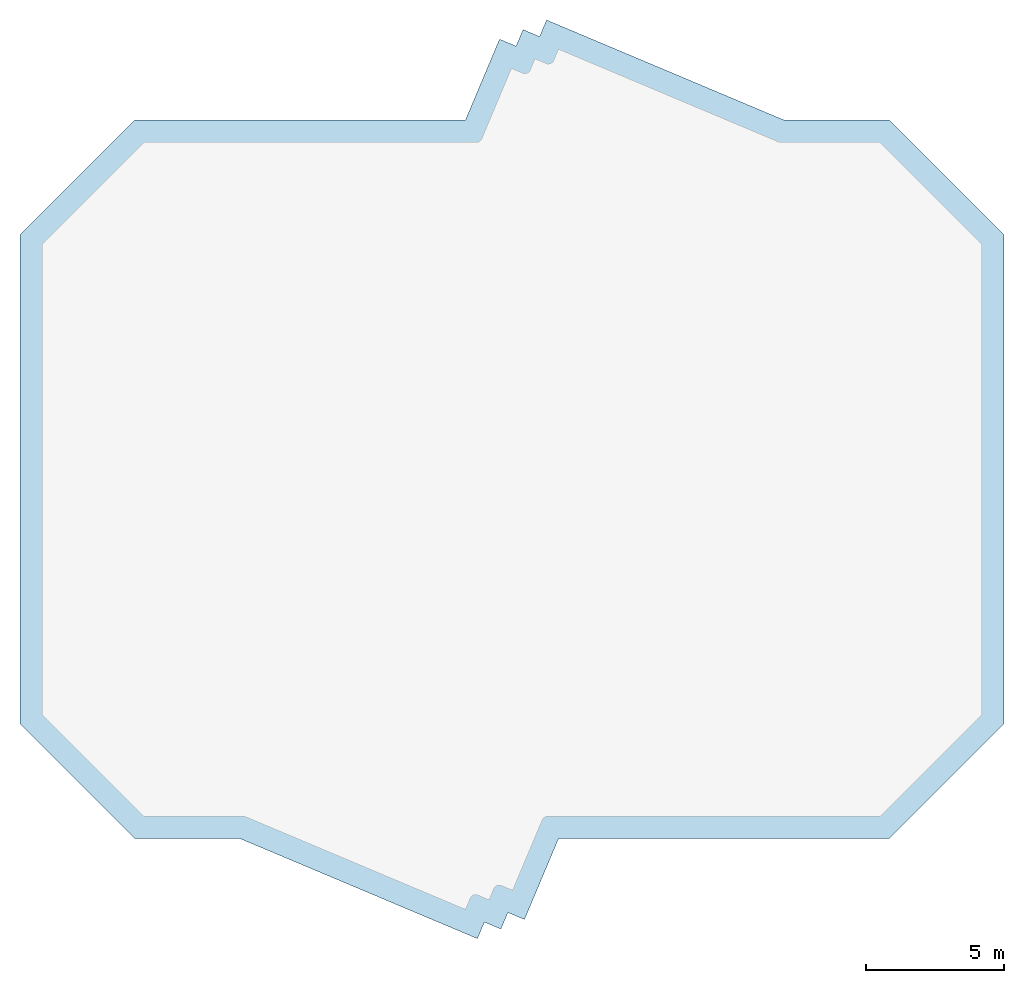
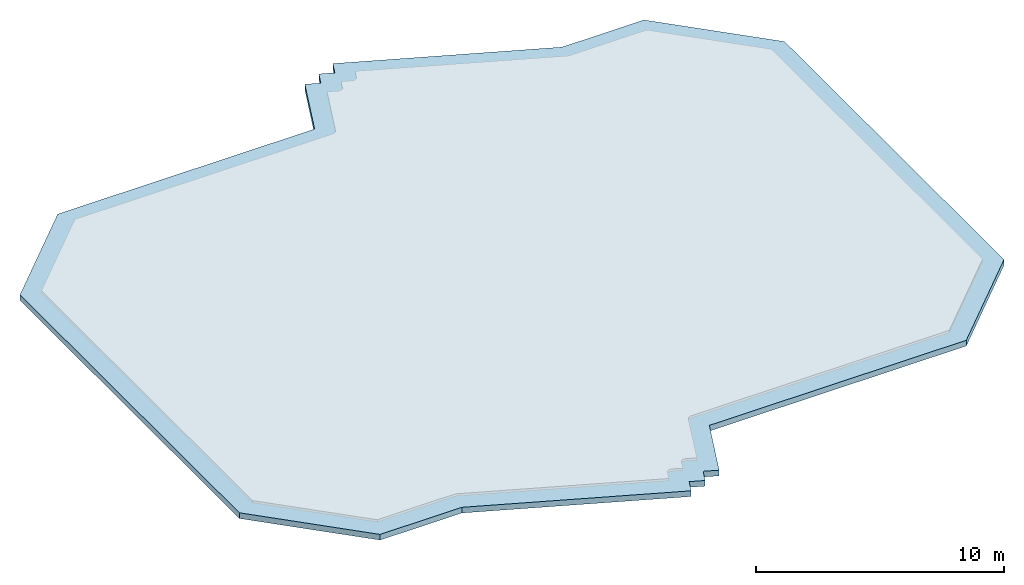
# One storey, part 1 of 2: 1 roof.
"""IFC4 building model written with IfcOpenShell, lengths in metres."""

from ifc_helpers import new_model, si_unit, direction, frame, origin, place, context, subcontext, project, spatial, polyline, outline, extrude, material, layer, layer_set, type_object, element, save


model = new_model("IFC4")

# Units and contexts
model_context = context("Model", 3, precision=1e-05, world=origin(), true_north=direction((0.0, 1.0)))
body_context = subcontext(model_context, "Body", "Model", "MODEL_VIEW")
ifc_project = project(units=[si_unit("LENGTHUNIT", "METRE"), si_unit("AREAUNIT", "SQUARE_METRE"), si_unit("VOLUMEUNIT", "CUBIC_METRE"), si_unit("PLANEANGLEUNIT", "RADIAN"), si_unit("MASSUNIT", "GRAM", prefix="KILO")], contexts=[model_context])

# Site, building, storey
site_placement = place(None, origin())
site = spatial("IfcSite", under=ifc_project, at=site_placement, CompositionType="ELEMENT")
building_placement = place(site_placement, origin())
building = spatial("IfcBuilding", under=site, at=building_placement, Name="Zahravan Cultural Tower", CompositionType="ELEMENT")
storey_placement = place(building_placement, frame((0.0, 0.0, 394.64990234375)))
storey = spatial("IfcBuildingStorey", under=building, at=storey_placement, Name="ROOF", CompositionType="ELEMENT", Elevation=394.64990234375)

# Roof
ifc_material = material(Name="Precast concrete C40/50", Category="concrete")
ifc_layer = layer(ifc_material, 0.280029296875)
ifc_layer_set = layer_set([ifc_layer], Name="Precast concrete C40/50")
roof_type = type_object("IfcRoofType", Name="RF-CANOPY-280", PredefinedType="PAVILION_ROOF", material=ifc_layer_set)
roof_placement = place(storey_placement, frame((0.0, 0.0, -0.27978515625)))
element("IfcRoof", 1, at=roof_placement, inside=storey, type_object=roof_type, Name="ROOF Architectural Crown Canopy Roof", PredefinedType="PAVILION_ROOF", context=body_context, shape_type="SweptSolid", body=[
    extrude(outline(polyline([(22.3515625, 40.0), (18.199951171875, 35.848388671875), (18.199951171875, 18.151611328125), (22.3515625, 14.0), (26.162109375, 14.0), (34.74853515625, 10.3818359375), (35.0009765625, 10.980712890625), (35.60009765625, 10.728515625), (35.852294921875, 11.327392578125), (36.451416015625, 11.074951171875), (37.68408203125, 14.0), (49.6484375, 14.0), (53.800048828125, 18.151611328125), (53.800048828125, 35.848388671875), (49.6484375, 40.0), (45.837890625, 40.0), (37.25146484375, 43.6181640625), (36.9990234375, 43.019287109375), (36.39990234375, 43.271484375), (36.147705078125, 42.672607421875), (35.548583984375, 42.925048828125), (34.31591796875, 40.0), (22.3515625, 40.0)])), origin(), (0.0, 0.0, 1.0), 0.27978515625),
])

save(model, "model.ifc")
